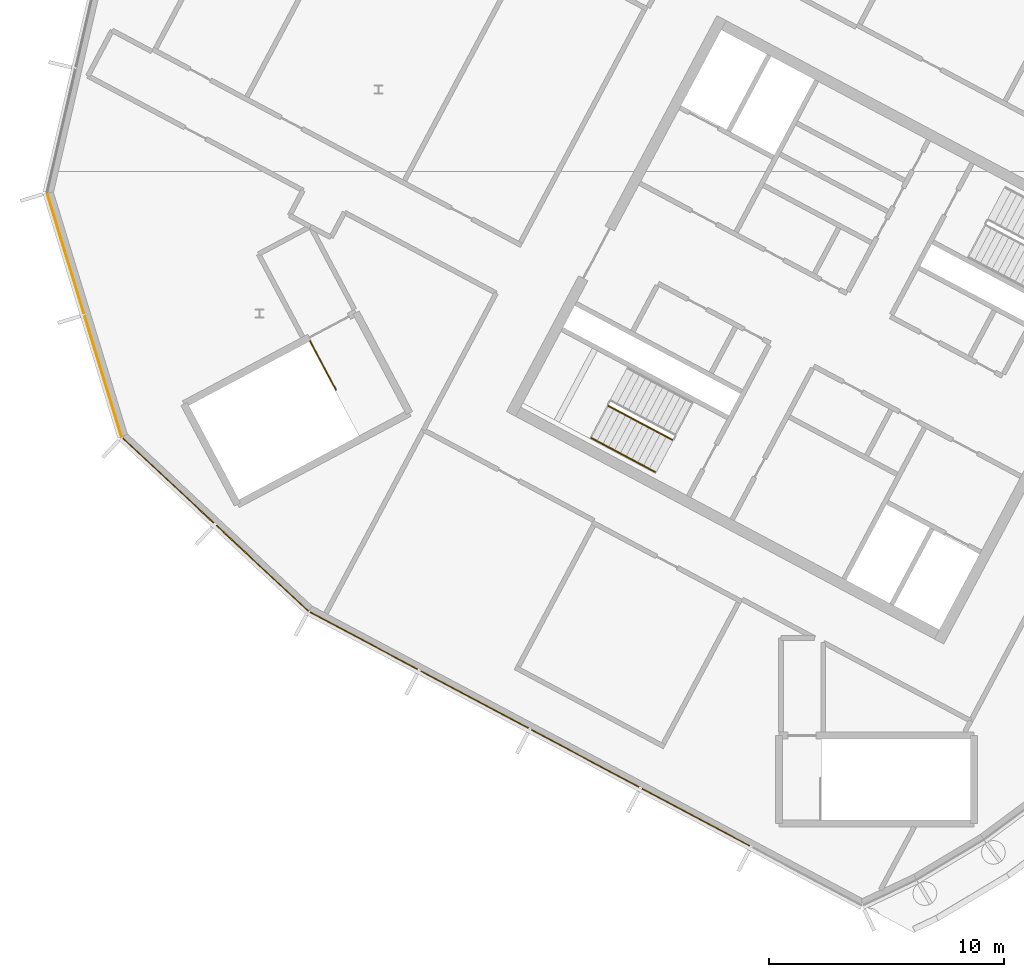
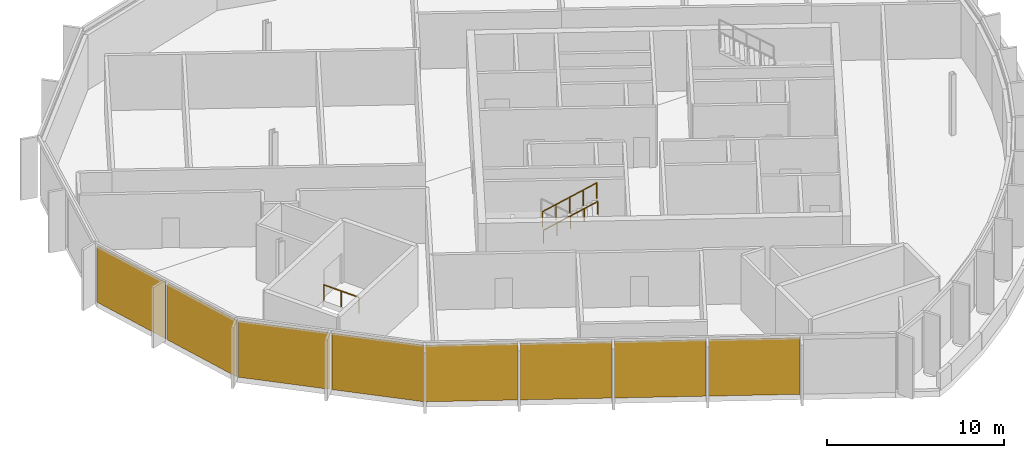
# One storey, part 9 of 13: 8 coverings, 3 railings, 3 elements without a shape of their own.
"""IFC4 building model written with IfcOpenShell, lengths in metres."""

from ifc_helpers import new_model, si_unit, direction, frame, origin, origin_2d, place, context, subcontext, project, spatial, polyline, rectangle, outline, extrude, material, layer, layer_set, type_object, element, aggregate, save


model = new_model("IFC4")

# Units and contexts
model_context = context("Model", 3, precision=1e-05, world=origin(), true_north=direction((0.0, 1.0)))
body_context = subcontext(model_context, "Body", "Model", "MODEL_VIEW")
ifc_project = project(units=[si_unit("LENGTHUNIT", "METRE"), si_unit("AREAUNIT", "SQUARE_METRE"), si_unit("VOLUMEUNIT", "CUBIC_METRE"), si_unit("PLANEANGLEUNIT", "RADIAN"), si_unit("MASSUNIT", "GRAM", prefix="KILO")], contexts=[model_context])

# Site, building, storey
site_placement = place(None, origin())
site = spatial("IfcSite", under=ifc_project, at=site_placement, CompositionType="ELEMENT")
building_placement = place(site_placement, origin())
building = spatial("IfcBuilding", under=site, at=building_placement, Name="Cormorant Relay Tower", CompositionType="ELEMENT")
storey_placement = place(building_placement, frame((0.0, 0.0, 353.39990234375)))
storey = spatial("IfcBuildingStorey", under=building, at=storey_placement, Name="C7", CompositionType="ELEMENT", Elevation=353.39990234375)

# Curtain wall, coverings
ifc_material_1 = material(Name="Aluminium 6063-T6 anodised bronze", Category="aluminium")
ifc_layer_1 = layer(ifc_material_1, 0.199951171875)
ifc_layer_set_1 = layer_set([ifc_layer_1], Name="CW3 crown screen wall")
curtain_wall_type = type_object("IfcCurtainWallType", Name="CW3 crown screen wall", PredefinedType="NOTDEFINED", material=ifc_layer_set_1)
curtain_wall_1_placement = place(storey_placement, origin())
curtain_wall_1 = element("IfcCurtainWall", 1, at=curtain_wall_1_placement, inside=storey, type_object=curtain_wall_type, Name="CW3 curtain wall 1", PredefinedType="NOTDEFINED")
ifc_material_2 = material(Name="Perforated bronze anodised aluminium screen", Category="aluminium")
ifc_layer_2 = layer(ifc_material_2, 0.0400390625)
ifc_layer_set_2 = layer_set([ifc_layer_2], Name="CW3 perforated bronze screen panel 40")
covering_type = type_object("IfcCoveringType", Name="CW3 perforated bronze screen panel 40", PredefinedType="CLADDING", material=ifc_layer_set_2)
covering_1_placement = place(storey_placement, frame((-47.243408203125, 1.31298828125, 0.000244140625), z_axis=(0.0, 0.0, 1.0), x_axis=(0.882947592859, -0.469471562786, 0.0)))
covering_1 = element("IfcCovering", 2, at=covering_1_placement, type_object=covering_type, Name="CW3 panel X00", PredefinedType="CLADDING", context=body_context, shape_type="SweptSolid", body=[
    extrude(rectangle(XDim=5.1904296875, YDim=0.0400390625, at=origin_2d()), origin(), (0.0, 0.0, 1.0), 3.89990234375),
])
covering_2_placement = place(storey_placement, frame((-42.528076171875, -1.194091796875, 0.000244140625), z_axis=(0.0, 0.0, 1.0), x_axis=(0.882947592859, -0.469471562786, 0.0)))
covering_2 = element("IfcCovering", 3, at=covering_2_placement, type_object=covering_type, Name="CW3 panel X01", PredefinedType="CLADDING", context=body_context, shape_type="SweptSolid", body=[
    extrude(rectangle(XDim=5.1904296875, YDim=0.0400390625, at=origin_2d()), origin(), (0.0, 0.0, 1.0), 3.89990234375),
])
covering_3_placement = place(storey_placement, frame((-37.8125, -3.701416015625, 0.000244140625), z_axis=(0.0, 0.0, 1.0), x_axis=(0.882947592859, -0.469471562786, 0.0)))
covering_3 = element("IfcCovering", 4, at=covering_3_placement, type_object=covering_type, Name="CW3 panel X02", PredefinedType="CLADDING", context=body_context, shape_type="SweptSolid", body=[
    extrude(rectangle(XDim=5.1904296875, YDim=0.0400390625, at=origin_2d()), origin(), (0.0, 0.0, 1.0), 3.89990234375),
])
covering_4_placement = place(storey_placement, frame((-33.097412109375, -6.20849609375, 0.000244140625), z_axis=(0.0, 0.0, 1.0), x_axis=(0.882947592859, -0.469471562786, 0.0)))
covering_4 = element("IfcCovering", 5, at=covering_4_placement, type_object=covering_type, Name="CW3 panel X03", PredefinedType="CLADDING", context=body_context, shape_type="SweptSolid", body=[
    extrude(rectangle(XDim=5.1904296875, YDim=0.0400390625, at=origin_2d()), origin(), (0.0, 0.0, 1.0), 3.89990234375),
])
aggregate(curtain_wall_1, [covering_1, covering_2, covering_3, covering_4])

curtain_wall_2_placement = place(storey_placement, origin())
curtain_wall_2 = element("IfcCurtainWall", 6, at=curtain_wall_2_placement, inside=storey, type_object=curtain_wall_type, Name="CW3 curtain wall 21", PredefinedType="NOTDEFINED")
covering_5_placement = place(storey_placement, frame((-59.9443359375, 17.78857421875, 0.000244140625), z_axis=(0.0, 0.0, 1.0), x_axis=(0.292371704723, -0.956304755963, 0.0)))
covering_5 = element("IfcCovering", 7, at=covering_5_placement, type_object=covering_type, Name="CW3 panel X00", PredefinedType="CLADDING", context=body_context, shape_type="SweptSolid", body=[
    extrude(rectangle(XDim=5.28515625, YDim=0.0400390625, at=origin_2d()), origin(), (0.0, 0.0, 1.0), 3.89990234375),
])
covering_6_placement = place(storey_placement, frame((-58.344482421875, 12.55517578125, 0.000244140625), z_axis=(0.0, 0.0, 1.0), x_axis=(0.292371704723, -0.956304755963, 0.0)))
covering_6 = element("IfcCovering", 8, at=covering_6_placement, type_object=covering_type, Name="CW3 panel X01", PredefinedType="CLADDING", context=body_context, shape_type="SweptSolid", body=[
    extrude(rectangle(XDim=5.360107421875, YDim=0.0400390625, at=origin_2d()), origin(), (0.0, 0.0, 1.0), 3.89990234375),
])
aggregate(curtain_wall_2, [covering_5, covering_6])

curtain_wall_3_placement = place(storey_placement, origin())
curtain_wall_3 = element("IfcCurtainWall", 9, at=curtain_wall_3_placement, inside=storey, type_object=curtain_wall_type, Name="CW3 curtain wall 22", PredefinedType="NOTDEFINED")
covering_7_placement = place(storey_placement, frame((-55.56787109375, 8.1298828125, 0.000244140625), z_axis=(0.0, 0.0, 1.0), x_axis=(0.731353701619, -0.681998360062, 0.0)))
covering_7 = element("IfcCovering", 10, at=covering_7_placement, type_object=covering_type, Name="CW3 panel X00", PredefinedType="CLADDING", context=body_context, shape_type="SweptSolid", body=[
    extrude(rectangle(XDim=5.28515625, YDim=0.0400390625, at=origin_2d()), origin(), (0.0, 0.0, 1.0), 3.89990234375),
])
covering_8_placement = place(storey_placement, frame((-51.565185546875, 4.3974609375, 0.000244140625), z_axis=(0.0, 0.0, 1.0), x_axis=(0.731353701619, -0.681998360062, 0.0)))
covering_8 = element("IfcCovering", 11, at=covering_8_placement, type_object=covering_type, Name="CW3 panel X01", PredefinedType="CLADDING", context=body_context, shape_type="SweptSolid", body=[
    extrude(rectangle(XDim=5.360107421875, YDim=0.0400390625, at=origin_2d()), origin(), (0.0, 0.0, 1.0), 3.89990234375),
])
aggregate(curtain_wall_3, [covering_7, covering_8])

# Railings
ifc_material_3 = material(Name="Steel ASTM A572 Grade 50 (Fy 345 MPa)", Category="steel")
railing_type_1 = type_object("IfcRailingType", Name="Stair guard 1100", PredefinedType="GUARDRAIL", material=ifc_material_3)
railing_1_placement = place(storey_placement, frame((-36.8291015625, 11.314697265625, 2.275146484375)))
element("IfcRailing", 12, at=railing_1_placement, inside=storey, type_object=railing_type_1, Name="C7 A2 stair guard 3", PredefinedType="GUARDRAIL", context=body_context, shape_type="SweptSolid", body=[
    extrude(outline(polyline([(0.022216796875, 0.00927734375), (0.00927734375, 0.022216796875), (-0.00927734375, 0.022216796875), (-0.022216796875, 0.00927734375), (-0.022216796875, -0.00927734375), (-0.00927734375, -0.022216796875), (0.00927734375, -0.022216796875), (0.022216796875, -0.00927734375), (0.022216796875, 0.00927734375)])), frame((0.0, 0.0, 1.076171875), z_axis=(0.748727239859, -0.398124736663, 0.530003975787), x_axis=(0.469489399267, 0.882938108802, 0.0)), (0.0, 0.0, 1.0), 3.632080078125),
    extrude(outline(polyline([(0.019287109375, 0.008056640625), (0.008056640625, 0.019287109375), (-0.008056640625, 0.019287109375), (-0.019287109375, 0.008056640625), (-0.019287109375, -0.008056640625), (-0.008056640625, -0.019287109375), (0.008056640625, -0.019287109375), (0.019287109375, -0.008056640625), (0.019287109375, 0.008056640625)])), origin(), (0.0, 0.0, 1.0), 1.052001953125),
    extrude(outline(polyline([(0.019287109375, 0.008056640625), (0.008056640625, 0.019287109375), (-0.008056640625, 0.019287109375), (-0.019287109375, 0.008056640625), (-0.019287109375, -0.008056640625), (-0.008056640625, -0.019287109375), (0.008056640625, -0.019287109375), (0.019287109375, -0.008056640625), (0.019287109375, 0.008056640625)])), frame((0.679931640625, -0.361572265625, 0.481201171875)), (0.0, 0.0, 1.0), 1.052001953125),
    extrude(outline(polyline([(0.019287109375, 0.008056640625), (0.008056640625, 0.019287109375), (-0.008056640625, 0.019287109375), (-0.019287109375, 0.008056640625), (-0.019287109375, -0.008056640625), (-0.008056640625, -0.019287109375), (0.008056640625, -0.019287109375), (0.019287109375, -0.008056640625), (0.019287109375, 0.008056640625)])), frame((1.35986328125, -0.72314453125, 0.96240234375)), (0.0, 0.0, 1.0), 1.052001953125),
    extrude(outline(polyline([(0.019287109375, 0.008056640625), (0.008056640625, 0.019287109375), (-0.008056640625, 0.019287109375), (-0.019287109375, 0.008056640625), (-0.019287109375, -0.008056640625), (-0.008056640625, -0.019287109375), (0.008056640625, -0.019287109375), (0.019287109375, -0.008056640625), (0.019287109375, 0.008056640625)])), frame((2.03955078125, -1.08447265625, 1.44384765625)), (0.0, 0.0, 1.0), 1.052001953125),
    extrude(outline(polyline([(0.019287109375, 0.008056640625), (0.008056640625, 0.019287109375), (-0.008056640625, 0.019287109375), (-0.019287109375, 0.008056640625), (-0.019287109375, -0.008056640625), (-0.008056640625, -0.019287109375), (0.008056640625, -0.019287109375), (0.019287109375, -0.008056640625), (0.019287109375, 0.008056640625)])), frame((2.719482421875, -1.446044921875, 1.925048828125)), (0.0, 0.0, 1.0), 1.052001953125),
])
railing_2_placement = place(storey_placement, frame((-49.53466796875, 14.0771484375, 0.0)))
element("IfcRailing", 13, at=railing_2_placement, inside=storey, type_object=railing_type_1, Name="C7 RP1 top well guard 1", PredefinedType="GUARDRAIL", context=body_context, shape_type="SweptSolid", body=[
    extrude(outline(polyline([(0.022216796875, 0.00927734375), (0.00927734375, 0.022216796875), (-0.00927734375, 0.022216796875), (-0.022216796875, 0.00927734375), (-0.022216796875, -0.00927734375), (-0.00927734375, -0.022216796875), (0.00927734375, -0.022216796875), (0.022216796875, -0.00927734375), (0.022216796875, 0.00927734375)])), frame((0.0, 0.0, 1.076171875), z_axis=(0.469471687537, -0.882947526528, 0.0), x_axis=(0.882947526528, 0.469471687537, 0.0)), (0.0, 0.0, 1.0), 2.35009765625),
    extrude(outline(polyline([(0.019287109375, 0.008056640625), (0.008056640625, 0.019287109375), (-0.008056640625, 0.019287109375), (-0.019287109375, 0.008056640625), (-0.019287109375, -0.008056640625), (-0.008056640625, -0.019287109375), (0.008056640625, -0.019287109375), (0.019287109375, -0.008056640625), (0.019287109375, 0.008056640625)])), origin(), (0.0, 0.0, 1.0), 1.052001953125),
    extrude(outline(polyline([(0.019287109375, 0.008056640625), (0.008056640625, 0.019287109375), (-0.008056640625, 0.019287109375), (-0.019287109375, 0.008056640625), (-0.019287109375, -0.008056640625), (-0.008056640625, -0.019287109375), (0.008056640625, -0.019287109375), (0.019287109375, -0.008056640625), (0.019287109375, 0.008056640625)])), frame((0.5517578125, -1.03759765625, 0.0)), (0.0, 0.0, 1.0), 1.052001953125),
    extrude(outline(polyline([(0.019287109375, 0.008056640625), (0.008056640625, 0.019287109375), (-0.008056640625, 0.019287109375), (-0.019287109375, 0.008056640625), (-0.019287109375, -0.008056640625), (-0.008056640625, -0.019287109375), (0.008056640625, -0.019287109375), (0.019287109375, -0.008056640625), (0.019287109375, 0.008056640625)])), frame((1.103271484375, -2.074951171875, 0.0)), (0.0, 0.0, 1.0), 1.052001953125),
])
ifc_material_4 = material(Name="Steel ASTM A572 Grade 50 (Fy 345 MPa)", Category="steel")
railing_type_2 = type_object("IfcRailingType", Name="Stair handrail 900", PredefinedType="HANDRAIL", material=ifc_material_4)
railing_3_placement = place(storey_placement, frame((-37.556640625, 9.946044921875, 2.275146484375)))
element("IfcRailing", 14, at=railing_3_placement, inside=storey, type_object=railing_type_2, Name="C7 A2 stair handrail 2", PredefinedType="HANDRAIL", context=body_context, shape_type="SweptSolid", body=[
    extrude(outline(polyline([(0.022216796875, 0.00927734375), (0.00927734375, 0.022216796875), (-0.00927734375, 0.022216796875), (-0.022216796875, 0.00927734375), (-0.022216796875, -0.00927734375), (-0.00927734375, -0.022216796875), (0.00927734375, -0.022216796875), (0.022216796875, -0.00927734375), (0.022216796875, 0.00927734375)])), frame((0.0, 0.0, 0.8759765625), z_axis=(0.748727239859, -0.398124736663, 0.530003975787), x_axis=(0.469489399267, 0.882938108802, 0.0)), (0.0, 0.0, 1.0), 3.632080078125),
    extrude(outline(polyline([(0.019287109375, 0.008056640625), (0.008056640625, 0.019287109375), (-0.008056640625, 0.019287109375), (-0.019287109375, 0.008056640625), (-0.019287109375, -0.008056640625), (-0.008056640625, -0.019287109375), (0.008056640625, -0.019287109375), (0.019287109375, -0.008056640625), (0.019287109375, 0.008056640625)])), origin(), (0.0, 0.0, 1.0), 0.851806640625),
    extrude(outline(polyline([(0.019287109375, 0.008056640625), (0.008056640625, 0.019287109375), (-0.008056640625, 0.019287109375), (-0.019287109375, 0.008056640625), (-0.019287109375, -0.008056640625), (-0.008056640625, -0.019287109375), (0.008056640625, -0.019287109375), (0.019287109375, -0.008056640625), (0.019287109375, 0.008056640625)])), frame((0.679931640625, -0.361572265625, 0.481201171875)), (0.0, 0.0, 1.0), 0.851806640625),
    extrude(outline(polyline([(0.019287109375, 0.008056640625), (0.008056640625, 0.019287109375), (-0.008056640625, 0.019287109375), (-0.019287109375, 0.008056640625), (-0.019287109375, -0.008056640625), (-0.008056640625, -0.019287109375), (0.008056640625, -0.019287109375), (0.019287109375, -0.008056640625), (0.019287109375, 0.008056640625)])), frame((1.35986328125, -0.72314453125, 0.96240234375)), (0.0, 0.0, 1.0), 0.851806640625),
    extrude(outline(polyline([(0.019287109375, 0.008056640625), (0.008056640625, 0.019287109375), (-0.008056640625, 0.019287109375), (-0.019287109375, 0.008056640625), (-0.019287109375, -0.008056640625), (-0.008056640625, -0.019287109375), (0.008056640625, -0.019287109375), (0.019287109375, -0.008056640625), (0.019287109375, 0.008056640625)])), frame((2.03955078125, -1.08447265625, 1.44384765625)), (0.0, 0.0, 1.0), 0.851806640625),
    extrude(outline(polyline([(0.019287109375, 0.008056640625), (0.008056640625, 0.019287109375), (-0.008056640625, 0.019287109375), (-0.019287109375, 0.008056640625), (-0.019287109375, -0.008056640625), (-0.008056640625, -0.019287109375), (0.008056640625, -0.019287109375), (0.019287109375, -0.008056640625), (0.019287109375, 0.008056640625)])), frame((2.719482421875, -1.446044921875, 1.925048828125)), (0.0, 0.0, 1.0), 0.851806640625),
])

save(model, "model.ifc")
